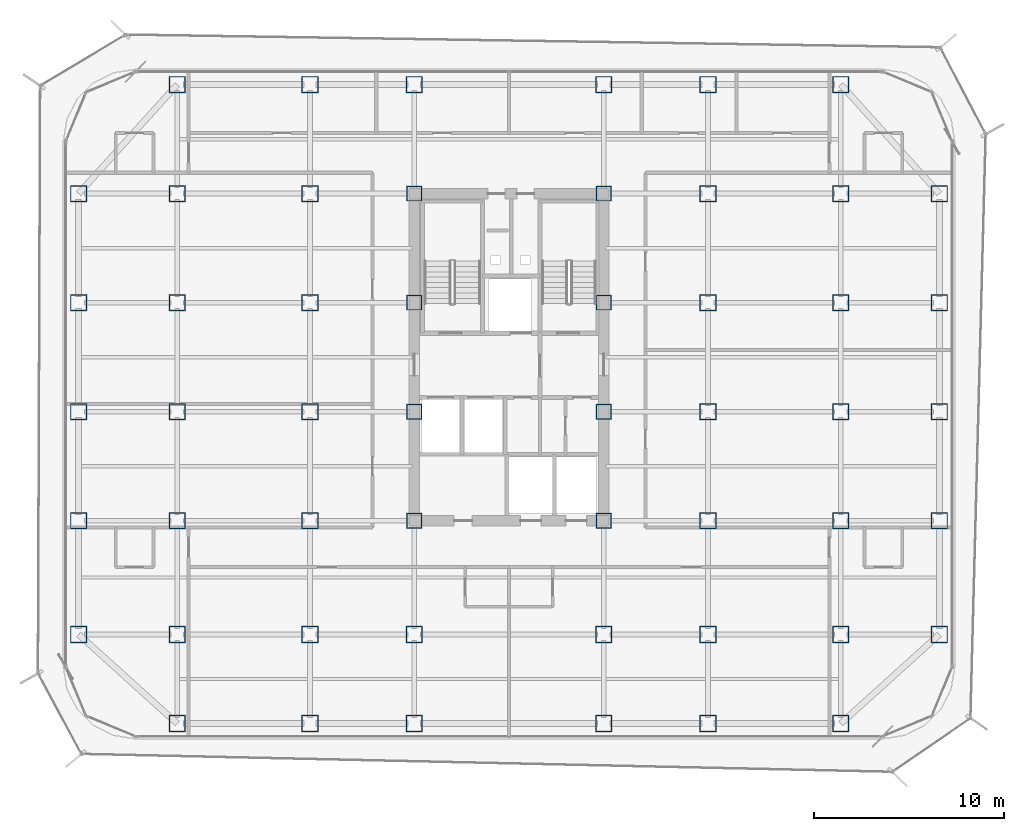
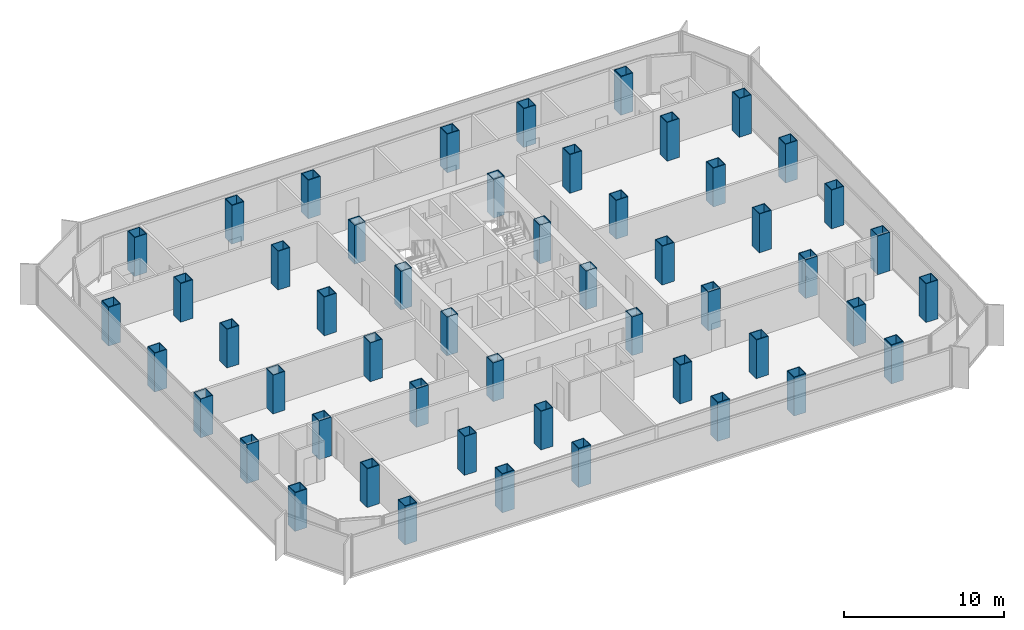
# One storey, part 1 of 21: 52 columns.
"""IFC4 building model written with IfcOpenShell, lengths in metres."""

from ifc_helpers import new_model, si_unit, direction, frame, origin, origin_2d, place, context, subcontext, project, spatial, hollow_rectangle, extrude, source, transform, mapped, material, material_profile, profile_set, type_object, element, save


model = new_model("IFC4")

# Units and contexts
model_context = context("Model", 3, precision=1e-05, world=origin(), true_north=direction((0.0, 1.0)))
body_context = subcontext(model_context, "Body", "Model", "MODEL_VIEW")
ifc_project = project(units=[si_unit("LENGTHUNIT", "METRE"), si_unit("AREAUNIT", "SQUARE_METRE"), si_unit("VOLUMEUNIT", "CUBIC_METRE"), si_unit("PLANEANGLEUNIT", "RADIAN"), si_unit("MASSUNIT", "GRAM", prefix="KILO")], contexts=[model_context])

# Site, building, storey
site_placement = place(None, origin())
site = spatial("IfcSite", under=ifc_project, at=site_placement, CompositionType="ELEMENT")
building_placement = place(site_placement, origin())
building = spatial("IfcBuilding", under=site, at=building_placement, Name="Kolveth Station Tower", CompositionType="ELEMENT")
storey_placement = place(building_placement, frame((0.0, 0.0, 134.300048828125)))
storey = spatial("IfcBuildingStorey", under=building, at=storey_placement, Name="L37", CompositionType="ELEMENT", Elevation=134.300048828125)

# Columns
ifc_material_1 = material(Name="Steel S460", Category="steel")
ifc_material_profile_1 = material_profile(ifc_material_1, hollow_rectangle(XDim=0.8798828125, YDim=0.8798828125, WallThickness=0.050048828125, at=origin_2d()), Name="BOX880x880x50")
ifc_profile_set_1 = profile_set([ifc_material_profile_1], Name="Steel S460")
column_type_1 = type_object("IfcColumnType", Name="Col_C4", PredefinedType="COLUMN", material=ifc_profile_set_1)
shared_shape_1 = source(origin(), body_context, "Body", "SweptSolid", [
    extrude(hollow_rectangle(XDim=0.8798828125, YDim=0.8798828125, WallThickness=0.050048828125, at=origin_2d()), origin(), (0.0, 0.0, 1.0), 2.949951171875),
])
for number, where, z_axis, x_axis, name in (
    (1, (6.0, 0.800048828125, 0.0), (0.0, 0.0, 1.0), (1.0, 0.0, 0.0), "L37 Tower Column S-X60"),
    (2, (6.0, 34.5, 0.0), (0.0, 0.0, 1.0), (1.0, 0.0, 0.0), "L37 Tower Column N-X60"),
    (3, (13.0, 0.800048828125, 0.0), (0.0, 0.0, 1.0), (1.0, 0.0, 0.0), "L37 Tower Column S-X130"),
    (4, (13.0, 34.5, 0.0), (0.0, 0.0, 1.0), (1.0, 0.0, 0.0), "L37 Tower Column N-X130"),
    (5, (18.5, 0.800048828125, 0.0), (0.0, 0.0, 1.0), (1.0, 0.0, 0.0), "L37 Tower Column S-X185"),
    (6, (18.5, 34.5, 0.0), (0.0, 0.0, 1.0), (1.0, 0.0, 0.0), "L37 Tower Column N-X185"),
    (7, (28.5, 0.800048828125, 0.0), (0.0, 0.0, 1.0), (1.0, 0.0, 0.0), "L37 Tower Column S-X285"),
    (8, (28.5, 34.5, 0.0), (0.0, 0.0, 1.0), (1.0, 0.0, 0.0), "L37 Tower Column N-X285"),
    (9, (34.0, 0.800048828125, 0.0), (0.0, 0.0, 1.0), (1.0, 0.0, 0.0), "L37 Tower Column S-X340"),
    (10, (34.0, 34.5, 0.0), (0.0, 0.0, 1.0), (1.0, 0.0, 0.0), "L37 Tower Column N-X340"),
    (11, (41.0, 0.800048828125, 0.0), (0.0, 0.0, 1.0), (1.0, 0.0, 0.0), "L37 Tower Column S-X410"),
    (12, (41.0, 34.5, 0.0), (0.0, 0.0, 1.0), (1.0, 0.0, 0.0), "L37 Tower Column N-X410"),
    (13, (0.800048828125, 5.5, 0.0), (0.0, 0.0, 1.0), (1.0, 0.0, 0.0), "L37 Tower Column W-Y55"),
    (14, (46.199951171875, 5.5, 0.0), (0.0, 0.0, 1.0), (1.0, 0.0, 0.0), "L37 Tower Column E-Y55"),
    (15, (0.800048828125, 11.5, 0.0), (0.0, 0.0, 1.0), (1.0, 0.0, 0.0), "L37 Tower Column W-Y115"),
    (16, (46.199951171875, 11.5, 0.0), (0.0, 0.0, 1.0), (1.0, 0.0, 0.0), "L37 Tower Column E-Y115"),
    (17, (0.800048828125, 17.25, 0.0), (0.0, 0.0, 1.0), (1.0, 0.0, 0.0), "L37 Tower Column W-Y172"),
    (18, (46.199951171875, 17.25, 0.0), (0.0, 0.0, 1.0), (1.0, 0.0, 0.0), "L37 Tower Column E-Y172"),
    (19, (0.800048828125, 23.0, 0.0), (0.0, 0.0, 1.0), (1.0, 0.0, 0.0), "L37 Tower Column W-Y230"),
    (20, (46.199951171875, 23.0, 0.0), (0.0, 0.0, 1.0), (1.0, 0.0, 0.0), "L37 Tower Column E-Y230"),
    (21, (0.800048828125, 28.75, 0.0), (0.0, 0.0, 1.0), (1.0, 0.0, 0.0), "L37 Tower Column W-Y287"),
    (22, (46.199951171875, 28.75, 0.0), (0.0, 0.0, 1.0), (1.0, 0.0, 0.0), "L37 Tower Column E-Y287"),
    (23, (6.0, 5.5, 0.0), (0.0, 0.0, 1.0), (1.0, 0.0, 0.0), "L37 Tower Column G-60-55"),
    (24, (6.0, 11.5, 0.0), (0.0, 0.0, 1.0), (1.0, 0.0, 0.0), "L37 Tower Column G-60-115"),
    (25, (6.0, 17.25, 0.0), (0.0, 0.0, 1.0), (1.0, 0.0, 0.0), "L37 Tower Column G-60-172"),
    (26, (6.0, 23.0, 0.0), (0.0, 0.0, 1.0), (1.0, 0.0, 0.0), "L37 Tower Column G-60-230"),
    (27, (6.0, 28.75, 0.0), (0.0, 0.0, 1.0), (1.0, 0.0, 0.0), "L37 Tower Column G-60-287"),
    (28, (13.0, 5.5, 0.0), (0.0, 0.0, 1.0), (1.0, 0.0, 0.0), "L37 Tower Column G-130-55"),
    (29, (13.0, 11.5, 0.0), (0.0, 0.0, 1.0), (1.0, 0.0, 0.0), "L37 Tower Column G-130-115"),
    (30, (13.0, 17.25, 0.0), (0.0, 0.0, 1.0), (1.0, 0.0, 0.0), "L37 Tower Column G-130-172"),
    (31, (13.0, 23.0, 0.0), (0.0, 0.0, 1.0), (1.0, 0.0, 0.0), "L37 Tower Column G-130-230"),
    (32, (13.0, 28.75, 0.0), (0.0, 0.0, 1.0), (1.0, 0.0, 0.0), "L37 Tower Column G-130-287"),
    (33, (18.5, 5.5, 0.0), (0.0, 0.0, 1.0), (1.0, 0.0, 0.0), "L37 Tower Column G-185-55"),
    (34, (28.5, 5.5, 0.0), (0.0, 0.0, 1.0), (1.0, 0.0, 0.0), "L37 Tower Column G-285-55"),
    (35, (34.0, 5.5, 0.0), (0.0, 0.0, 1.0), (1.0, 0.0, 0.0), "L37 Tower Column G-340-55"),
    (36, (34.0, 11.5, 0.0), (0.0, 0.0, 1.0), (1.0, 0.0, 0.0), "L37 Tower Column G-340-115"),
    (37, (34.0, 17.25, 0.0), (0.0, 0.0, 1.0), (1.0, 0.0, 0.0), "L37 Tower Column G-340-172"),
    (38, (34.0, 23.0, 0.0), (0.0, 0.0, 1.0), (1.0, 0.0, 0.0), "L37 Tower Column G-340-230"),
    (39, (34.0, 28.75, 0.0), (0.0, 0.0, 1.0), (1.0, 0.0, 0.0), "L37 Tower Column G-340-287"),
    (40, (41.0, 5.5, 0.0), (0.0, 0.0, 1.0), (1.0, 0.0, 0.0), "L37 Tower Column G-410-55"),
    (41, (41.0, 11.5, 0.0), (0.0, 0.0, 1.0), (1.0, 0.0, 0.0), "L37 Tower Column G-410-115"),
    (42, (41.0, 17.25, 0.0), (0.0, 0.0, 1.0), (1.0, 0.0, 0.0), "L37 Tower Column G-410-172"),
    (43, (41.0, 23.0, 0.0), (0.0, 0.0, 1.0), (1.0, 0.0, 0.0), "L37 Tower Column G-410-230"),
    (44, (41.0, 28.75, 0.0), (0.0, 0.0, 1.0), (1.0, 0.0, 0.0), "L37 Tower Column G-410-287"),
):
    element("IfcColumn", number, at=place(storey_placement, frame(where, z_axis=z_axis, x_axis=x_axis)), inside=storey, type_object=column_type_1, Name=name, PredefinedType="COLUMN", context=body_context, shape_type="MappedRepresentation", body=[
        mapped(shared_shape_1, transform((0.0, 0.0, 0.0), x_axis=(1.0, 0.0, 0.0), y_axis=(0.0, 1.0, 0.0), z_axis=(0.0, 0.0, 1.0), scale=1.0)),
    ])
ifc_material_2 = material(Name="Steel S355", Category="steel")
ifc_material_profile_2 = material_profile(ifc_material_2, hollow_rectangle(XDim=0.800048828125, YDim=0.800048828125, WallThickness=0.044921875, at=origin_2d()), Name="BOX800x800x45")
ifc_profile_set_2 = profile_set([ifc_material_profile_2], Name="Steel S355")
column_type_2 = type_object("IfcColumnType", Name="Col_C5", PredefinedType="COLUMN", material=ifc_profile_set_2)
shared_shape_2 = source(origin(), body_context, "Body", "SweptSolid", [
    extrude(hollow_rectangle(XDim=0.800048828125, YDim=0.800048828125, WallThickness=0.044921875, at=origin_2d()), origin(), (0.0, 0.0, 1.0), 2.949951171875),
])
for number, where, z_axis, x_axis, name in (
    (45, (18.5, 11.5, 0.0), (0.0, 0.0, 1.0), (1.0, 0.0, 0.0), "L37 Tower Column G-185-115"),
    (46, (18.5, 17.25, 0.0), (0.0, 0.0, 1.0), (1.0, 0.0, 0.0), "L37 Tower Column G-185-172"),
    (47, (18.5, 23.0, 0.0), (0.0, 0.0, 1.0), (1.0, 0.0, 0.0), "L37 Tower Column G-185-230"),
    (48, (18.5, 28.75, 0.0), (0.0, 0.0, 1.0), (1.0, 0.0, 0.0), "L37 Tower Column G-185-287"),
    (49, (28.5, 11.5, 0.0), (0.0, 0.0, 1.0), (1.0, 0.0, 0.0), "L37 Tower Column G-285-115"),
    (50, (28.5, 17.25, 0.0), (0.0, 0.0, 1.0), (1.0, 0.0, 0.0), "L37 Tower Column G-285-172"),
    (51, (28.5, 23.0, 0.0), (0.0, 0.0, 1.0), (1.0, 0.0, 0.0), "L37 Tower Column G-285-230"),
    (52, (28.5, 28.75, 0.0), (0.0, 0.0, 1.0), (1.0, 0.0, 0.0), "L37 Tower Column G-285-287"),
):
    element("IfcColumn", number, at=place(storey_placement, frame(where, z_axis=z_axis, x_axis=x_axis)), inside=storey, type_object=column_type_2, Name=name, PredefinedType="COLUMN", context=body_context, shape_type="MappedRepresentation", body=[
        mapped(shared_shape_2, transform((0.0, 0.0, 0.0), x_axis=(1.0, 0.0, 0.0), y_axis=(0.0, 1.0, 0.0), z_axis=(0.0, 0.0, 1.0), scale=1.0)),
    ])

save(model, "model.ifc")
